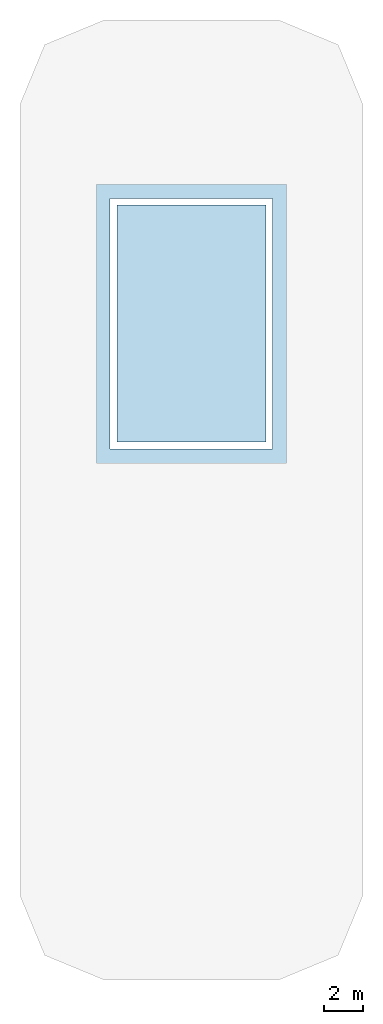
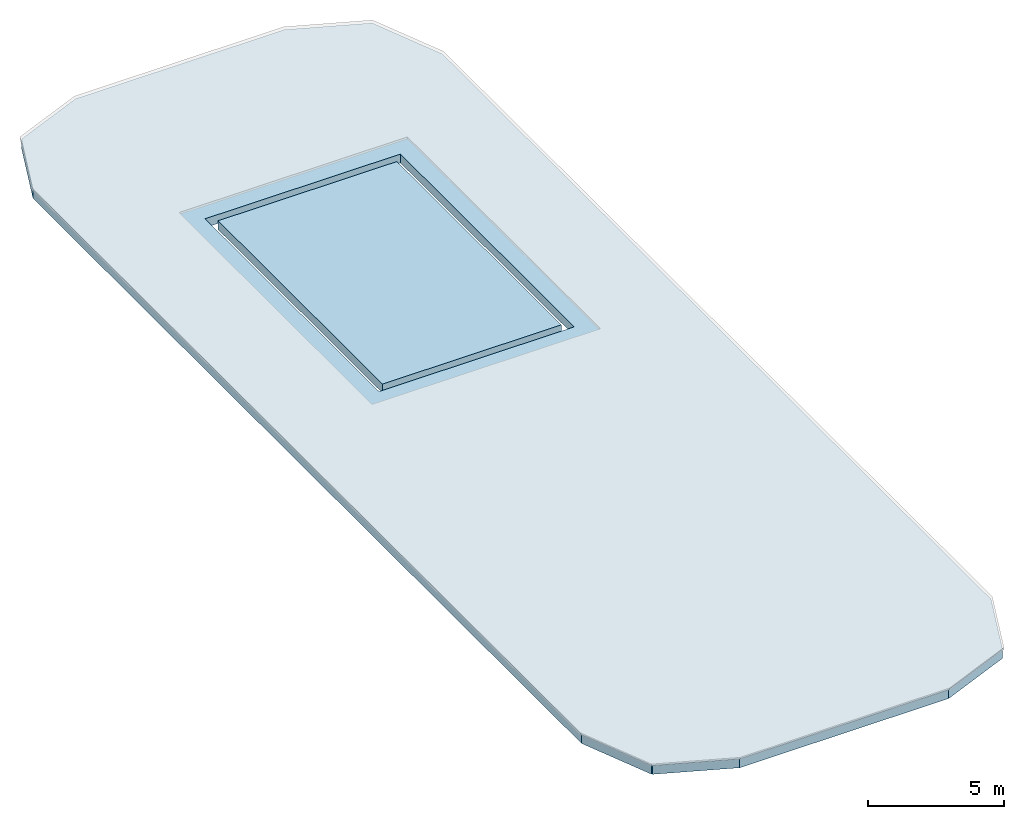
# One storey, part 1 of 2: 2 slabs.
"""IFC4 building model written with IfcOpenShell, lengths in metres."""

from ifc_helpers import new_model, si_unit, direction, frame, origin, place, context, subcontext, project, spatial, polyline, outline, extrude, material, layer, layer_set, type_object, element, save


model = new_model("IFC4")

# Units and contexts
model_context = context("Model", 3, precision=1e-05, world=origin(), true_north=direction((0.0, 1.0)))
body_context = subcontext(model_context, "Body", "Model", "MODEL_VIEW")
ifc_project = project(units=[si_unit("LENGTHUNIT", "METRE"), si_unit("AREAUNIT", "SQUARE_METRE"), si_unit("VOLUMEUNIT", "CUBIC_METRE"), si_unit("PLANEANGLEUNIT", "RADIAN"), si_unit("MASSUNIT", "GRAM", prefix="KILO")], contexts=[model_context])

# Site, building, storey
site_placement = place(None, origin())
site = spatial("IfcSite", under=ifc_project, at=site_placement, CompositionType="ELEMENT")
building_placement = place(site_placement, origin())
building = spatial("IfcBuilding", under=site, at=building_placement, Name="Girih Gate Residences", CompositionType="ELEMENT")
storey_placement = place(building_placement, frame((0.0, 0.0, 257.39501953125)))
storey = spatial("IfcBuildingStorey", under=building, at=storey_placement, Name="Roof", CompositionType="ELEMENT", Elevation=257.39501953125)

# Slabs
ifc_material = material(Name="Concrete C40/50", Category="concrete")
ifc_layer = layer(ifc_material, 0.39990234375)
ifc_layer_set = layer_set([ifc_layer], Name="Roof slab RC 400 Concrete C40/50")
slab_type = type_object("IfcSlabType", Name="Roof slab RC 400 Concrete C40/50", PredefinedType="ROOF", material=ifc_layer_set)
slab_1_placement = place(storey_placement, frame((0.0, 0.0, -0.5)))
element("IfcSlab", 1, at=slab_1_placement, inside=storey, type_object=slab_type, Name="Roof slab L67 0", PredefinedType="ROOF", context=body_context, shape_type="SweptSolid", body=[
    extrude(outline(polyline([(17.699951171875, 4.5595703125), (17.699951171875, 44.9404296875), (16.452392578125, 47.952392578125), (13.4404296875, 49.199951171875), (4.5595703125, 49.199951171875), (1.568115234375, 47.9609375), (1.568115234375, 47.931884765625), (1.5390625, 47.931884765625), (0.300048828125, 44.9404296875), (0.300048828125, 4.5595703125), (1.5390625, 1.568115234375), (1.568115234375, 1.568115234375), (1.568115234375, 1.5390625), (4.5595703125, 0.300048828125), (13.4404296875, 0.300048828125), (16.452392578125, 1.547607421875), (17.699951171875, 4.5595703125)]), holes=[polyline([(4.85009765625, 27.35009765625), (4.85009765625, 40.14990234375), (13.14990234375, 40.14990234375), (13.14990234375, 27.35009765625), (4.85009765625, 27.35009765625)])]), origin(), (0.0, 0.0, 1.0), 0.39990234375),
])
slab_2_placement = place(storey_placement, frame((0.0, 0.0, -0.5)))
element("IfcSlab", 2, at=slab_2_placement, inside=storey, type_object=slab_type, Name="Roof slab L67 1", PredefinedType="ROOF", context=body_context, shape_type="SweptSolid", body=[
    extrude(outline(polyline([(12.800048828125, 39.800048828125), (5.199951171875, 39.800048828125), (5.199951171875, 27.699951171875), (12.800048828125, 27.699951171875), (12.800048828125, 39.800048828125)])), origin(), (0.0, 0.0, 1.0), 0.39990234375),
])

save(model, "model.ifc")
